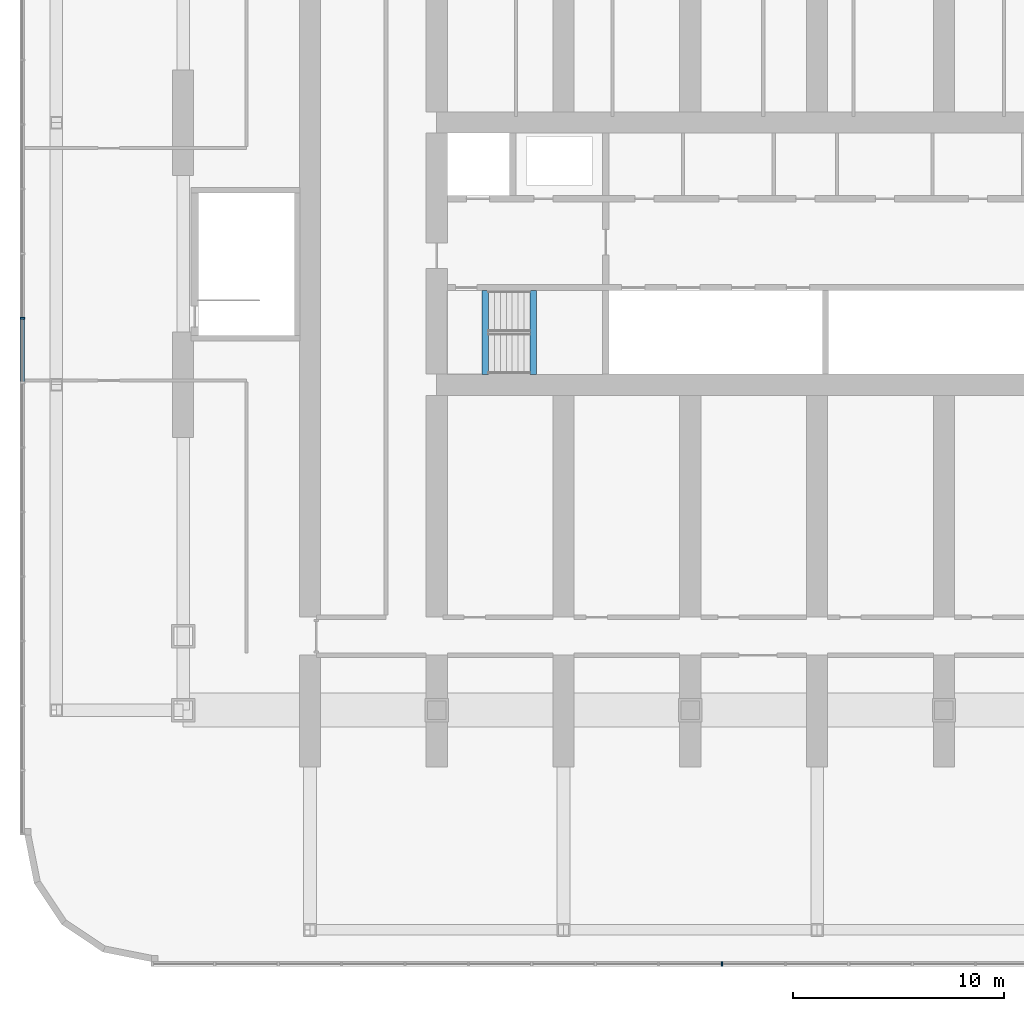
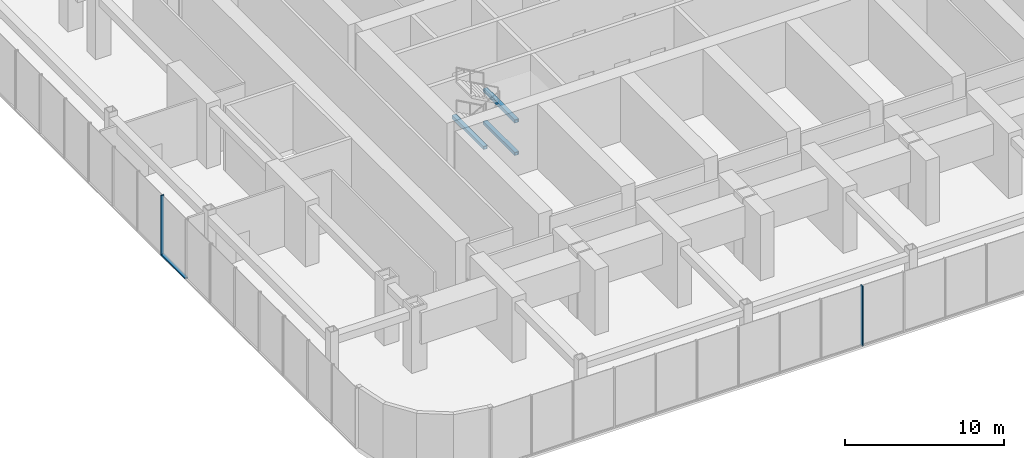
# One storey, part 3 of 26: 3 beams, 3 members, 2 elements without a shape of their own.
"""IFC4 building model written with IfcOpenShell, lengths in metres."""

from ifc_helpers import new_model, si_unit, direction, frame, origin, origin_2d, place, context, subcontext, project, spatial, rectangle, hollow_rectangle, extrude, material, material_profile, profile_set, type_object, element, aggregate, save


model = new_model("IFC4")

# Units and contexts
model_context = context("Model", 3, precision=1e-05, world=origin(), true_north=direction((0.0, 1.0)))
body_context = subcontext(model_context, "Body", "Model", "MODEL_VIEW")
ifc_project = project(units=[si_unit("LENGTHUNIT", "METRE"), si_unit("AREAUNIT", "SQUARE_METRE"), si_unit("VOLUMEUNIT", "CUBIC_METRE"), si_unit("PLANEANGLEUNIT", "RADIAN"), si_unit("MASSUNIT", "GRAM", prefix="KILO")], contexts=[model_context])

# Site, building, storey
site_placement = place(None, origin())
site = spatial("IfcSite", under=ifc_project, at=site_placement, CompositionType="ELEMENT")
building_placement = place(site_placement, origin())
building = spatial("IfcBuilding", under=site, at=building_placement, Name="Orbita Commons", CompositionType="ELEMENT")
storey_placement = place(building_placement, frame((0.0, 0.0, 11.0)))
storey = spatial("IfcBuildingStorey", under=building, at=storey_placement, Name="L02", CompositionType="ELEMENT", Elevation=11.0)

# Curtain wall, member
ifc_material_1 = material(Name="Anodised aluminium frame, pale silver", Category="aluminium")
curtain_wall_type = type_object("IfcCurtainWallType", Name="Podium storefront curtain wall CW-P", PredefinedType="NOTDEFINED", material=ifc_material_1)
curtain_wall_1_placement = place(storey_placement, origin())
curtain_wall_1 = element("IfcCurtainWall", 1, at=curtain_wall_1_placement, inside=storey, type_object=curtain_wall_type, Name="Curtain wall S 1 L02", PredefinedType="NOTDEFINED")
ifc_material_2 = material(Name="Anodised aluminium, pale silver", Category="aluminium")
ifc_material_profile_1 = material_profile(ifc_material_2, rectangle(XDim=0.080078125, YDim=0.219970703125, at=origin_2d()), Name="AL 80x220")
ifc_profile_set_1 = profile_set([ifc_material_profile_1], Name="Anodised aluminium, pale silver")
member_type_1 = type_object("IfcMemberType", Name="Curtain wall mullion 80x220", PredefinedType="MULLION", material=ifc_profile_set_1)
member_1_placement = place(storey_placement, frame((31.5, -1.610107421875, 0.0), z_axis=(0.0, 0.0, 1.0), x_axis=(1.0, 0.0, 0.0)))
member_1 = element("IfcMember", 2, at=member_1_placement, type_object=member_type_1, Name="Mullion 10 CW-L02-S0", PredefinedType="MULLION", context=body_context, shape_type="SweptSolid", body=[
    extrude(rectangle(XDim=0.080078125, YDim=0.219970703125, at=origin_2d()), origin(), (0.0, 0.0, 1.0), 4.60009765625),
])
aggregate(curtain_wall_1, [member_1])

# Curtain wall, members
curtain_wall_2_placement = place(storey_placement, origin())
curtain_wall_2 = element("IfcCurtainWall", 3, at=curtain_wall_2_placement, inside=storey, type_object=curtain_wall_type, Name="Curtain wall W 1 L02", PredefinedType="NOTDEFINED")
member_2_placement = place(storey_placement, frame((-1.610107421875, 28.9443359375, 0.0), z_axis=(0.0, 0.0, 1.0), x_axis=(0.0, -1.0, 0.0)))
member_2 = element("IfcMember", 4, at=member_2_placement, type_object=member_type_1, Name="Mullion 11 CW-L02-W0", PredefinedType="MULLION", context=body_context, shape_type="SweptSolid", body=[
    extrude(rectangle(XDim=0.080078125, YDim=0.219970703125, at=origin_2d()), origin(), (0.0, 0.0, 1.0), 4.60009765625),
])
ifc_material_3 = material(Name="Anodised aluminium, pale silver", Category="aluminium")
ifc_material_profile_2 = material_profile(ifc_material_3, rectangle(XDim=0.219970703125, YDim=0.10009765625, at=origin_2d()), Name="AL 220x100")
ifc_profile_set_2 = profile_set([ifc_material_profile_2], Name="Anodised aluminium, pale silver")
member_type_2 = type_object("IfcMemberType", Name="Curtain wall stack transom 220x100", PredefinedType="USERDEFINED", material=ifc_profile_set_2)
member_3_placement = place(storey_placement, frame((-1.610107421875, 28.904541015625, 0.050048828125), z_axis=(0.0, -1.0, 0.0), x_axis=(1.0, 0.0, 0.0)))
member_3 = element("IfcMember", 5, at=member_3_placement, type_object=member_type_2, Name="Transom 11.1 CW-L02-W0", ObjectType="TRANSOM", PredefinedType="USERDEFINED", context=body_context, shape_type="SweptSolid", body=[
    extrude(rectangle(XDim=0.219970703125, YDim=0.10009765625, at=origin_2d()), origin(), (0.0, 0.0, 1.0), 2.9755859375),
])
aggregate(curtain_wall_2, [member_2, member_3])

# Beams
ifc_material_4 = material(Name="Steel ASTM A572 Gr 50 welded plate", Category="steel")
ifc_material_profile_3 = material_profile(ifc_material_4, hollow_rectangle(XDim=0.300048828125, YDim=0.25, WallThickness=0.02490234375, at=origin_2d()), Name="BOX 250x300x25")
ifc_profile_set_3 = profile_set([ifc_material_profile_3], Name="Steel ASTM A572 Gr 50 welded plate")
beam_type = type_object("IfcBeamType", Name="Stair landing beam steel BOX 250x300x25", PredefinedType="BEAM", material=ifc_profile_set_3)
for number, where, z_axis, x_axis, name in (
    (6, (22.56005859375, 26.284912109375, 0.925048828125), (0.0, 1.0, 0.0), (-1.0, 0.0, 0.0), "Stair S1 landing beam L02 1"),
    (7, (20.300048828125, 26.284912109375, 2.175048828125), (0.0, 1.0, 0.0), (-1.0, 0.0, 0.0), "Stair S1 landing beam L02 2"),
    (8, (22.56005859375, 26.284912109375, 3.425048828125), (0.0, 1.0, 0.0), (-1.0, 0.0, 0.0), "Stair S1 landing beam L02 3"),
):
    element("IfcBeam", number, at=place(storey_placement, frame(where, z_axis=z_axis, x_axis=x_axis)), inside=storey, type_object=beam_type, Name=name, PredefinedType="BEAM", context=body_context, shape_type="SweptSolid", body=[
        extrude(hollow_rectangle(XDim=0.300048828125, YDim=0.25, WallThickness=0.02490234375, at=origin_2d()), origin(), (0.0, 0.0, 1.0), 3.97998046875),
    ])

save(model, "model.ifc")
